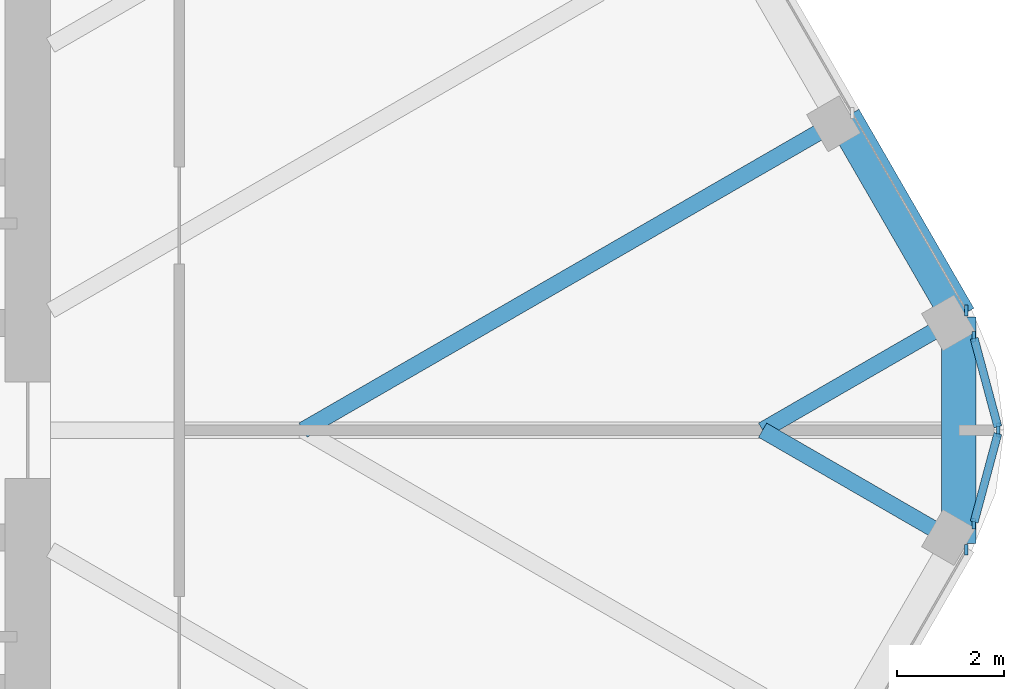
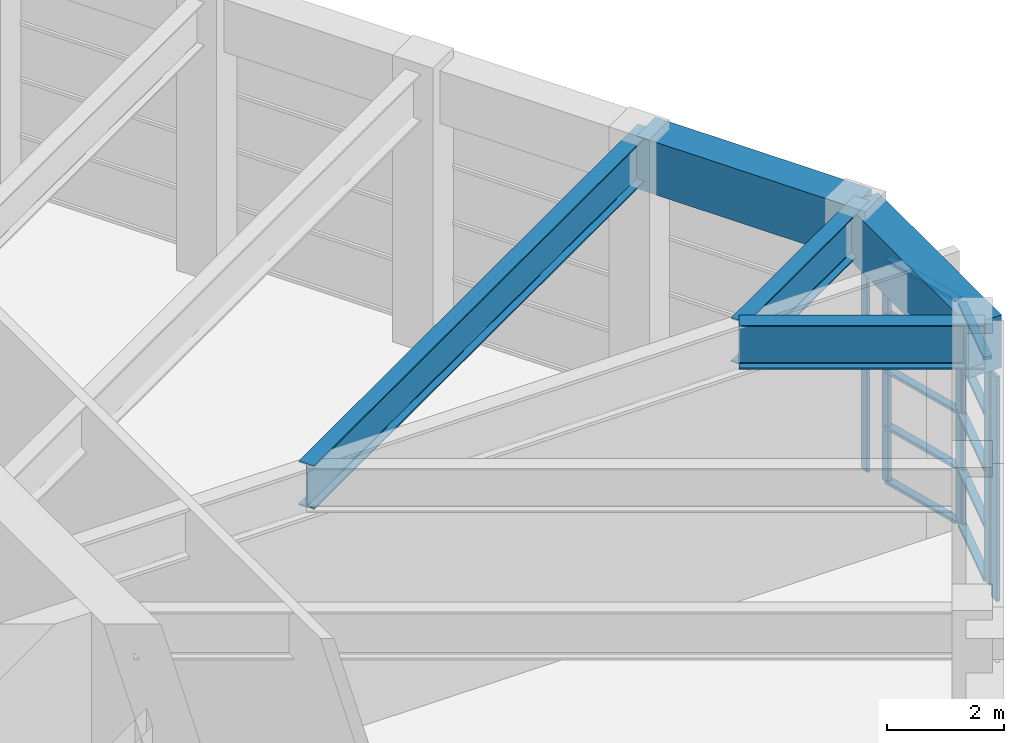
# One storey, part 6 of 16: 16 members, 5 beams, 4 elements without a shape of their own.
"""IFC4 building model written with IfcOpenShell, lengths in metres."""

from ifc_helpers import new_model, si_unit, direction, frame, origin, origin_2d, place, context, subcontext, project, spatial, rectangle, i_section, extrude, material, material_profile, profile_set, type_object, element, aggregate, save


model = new_model("IFC4")

# Units and contexts
model_context = context("Model", 3, precision=1e-05, world=origin(), true_north=direction((0.0, 1.0)))
body_context = subcontext(model_context, "Body", "Model", "MODEL_VIEW")
ifc_project = project(units=[si_unit("LENGTHUNIT", "METRE"), si_unit("AREAUNIT", "SQUARE_METRE"), si_unit("VOLUMEUNIT", "CUBIC_METRE"), si_unit("PLANEANGLEUNIT", "RADIAN"), si_unit("MASSUNIT", "GRAM", prefix="KILO")], contexts=[model_context])

# Site, building, storey
site_placement = place(None, origin())
site = spatial("IfcSite", under=ifc_project, at=site_placement, CompositionType="ELEMENT")
building_placement = place(site_placement, origin())
building = spatial("IfcBuilding", under=site, at=building_placement, Name="Tarfa Lantern Tower", CompositionType="ELEMENT")
storey_placement = place(building_placement, frame((0.0, 0.0, 396.300048828125)))
storey = spatial("IfcBuildingStorey", under=building, at=storey_placement, Name="L90", CompositionType="ELEMENT", Elevation=396.300048828125)

# Curtain wall, members
ifc_material_1 = material(Name="Aluminium framed curtain wall", Category="aluminium")
curtain_wall_type = type_object("IfcCurtainWallType", Name="CW8 LANTERN GLAZING 4700", PredefinedType="USERDEFINED", material=ifc_material_1)
curtain_wall_1_placement = place(storey_placement, origin())
curtain_wall_1 = element("IfcCurtainWall", 1, at=curtain_wall_1_placement, inside=storey, type_object=curtain_wall_type, Name="CW8 SENE1 L90", ObjectType="CURTAIN WALL", PredefinedType="USERDEFINED")
ifc_material_2 = material(Name="Aluminium mullion", Category="aluminium")
ifc_material_profile_1 = material_profile(ifc_material_2, rectangle(XDim=0.06494140625, YDim=0.199951171875, at=origin_2d()), Name="AL MULLION 65x200")
ifc_profile_set_1 = profile_set([ifc_material_profile_1], Name="Aluminium mullion")
member_type_1 = type_object("IfcMemberType", Name="CWM1 MULLION 65x200", PredefinedType="MULLION", material=ifc_profile_set_1)
member_1_placement = place(storey_placement, frame((29.625244140625, -1.74267578125, 0.0), z_axis=(0.0, 0.0, 1.0), x_axis=(1.0, 0.0, 0.0)))
member_1 = element("IfcMember", 2, at=member_1_placement, type_object=member_type_1, Name="CW8 mullion 1", PredefinedType="MULLION", context=body_context, shape_type="SweptSolid", body=[
    extrude(rectangle(XDim=0.06494140625, YDim=0.199951171875, at=origin_2d()), origin(), (0.0, 0.0, 1.0), 4.699951171875),
])
member_2_placement = place(storey_placement, frame((30.083740234375, -0.031494140625, 0.0), z_axis=(0.0, 0.0, 1.0), x_axis=(1.0, 0.0, 0.0)))
member_2 = element("IfcMember", 3, at=member_2_placement, type_object=member_type_1, Name="CW8 mullion 2", PredefinedType="MULLION", context=body_context, shape_type="SweptSolid", body=[
    extrude(rectangle(XDim=0.06494140625, YDim=0.199951171875, at=origin_2d()), origin(), (0.0, 0.0, 1.0), 4.699951171875),
])

curtain_wall_2_placement = place(storey_placement, origin())
curtain_wall_2 = element("IfcCurtainWall", 4, at=curtain_wall_2_placement, inside=storey, type_object=curtain_wall_type, Name="CW8 SENE2 L90", ObjectType="CURTAIN WALL", PredefinedType="USERDEFINED")
member_3_placement = place(storey_placement, frame((30.083740234375, 0.031494140625, 0.0), z_axis=(0.0, 0.0, 1.0), x_axis=(1.0, 0.0, 0.0)))
member_3 = element("IfcMember", 5, at=member_3_placement, type_object=member_type_1, Name="CW8 mullion 1", PredefinedType="MULLION", context=body_context, shape_type="SweptSolid", body=[
    extrude(rectangle(XDim=0.06494140625, YDim=0.199951171875, at=origin_2d()), origin(), (0.0, 0.0, 1.0), 4.699951171875),
])
member_4_placement = place(storey_placement, frame((29.625244140625, 1.74267578125, 0.0), z_axis=(0.0, 0.0, 1.0), x_axis=(1.0, 0.0, 0.0)))
member_4 = element("IfcMember", 6, at=member_4_placement, type_object=member_type_1, Name="CW8 mullion 2", PredefinedType="MULLION", context=body_context, shape_type="SweptSolid", body=[
    extrude(rectangle(XDim=0.06494140625, YDim=0.199951171875, at=origin_2d()), origin(), (0.0, 0.0, 1.0), 4.699951171875),
])

# Curtain wall, member
curtain_wall_3_placement = place(storey_placement, origin())
curtain_wall_3 = element("IfcCurtainWall", 7, at=curtain_wall_3_placement, inside=storey, type_object=curtain_wall_type, Name="CW8 NE L90", ObjectType="CURTAIN WALL", PredefinedType="USERDEFINED")
member_5_placement = place(storey_placement, frame((29.486328125, 2.22802734375, 0.0), z_axis=(0.0, 0.0, 1.0), x_axis=(1.0, 0.0, 0.0)))
member_5 = element("IfcMember", 8, at=member_5_placement, type_object=member_type_1, Name="CW8 mullion 1", PredefinedType="MULLION", context=body_context, shape_type="SweptSolid", body=[
    extrude(rectangle(XDim=0.06494140625, YDim=0.199951171875, at=origin_2d()), origin(), (0.0, 0.0, 1.0), 4.699951171875),
])
aggregate(curtain_wall_3, [member_5])

curtain_wall_4_placement = place(storey_placement, origin())
curtain_wall_4 = element("IfcCurtainWall", 9, at=curtain_wall_4_placement, inside=storey, type_object=curtain_wall_type, Name="CW8 SE L90", ObjectType="CURTAIN WALL", PredefinedType="USERDEFINED")
member_6_placement = place(storey_placement, frame((29.486328125, -2.22802734375, 0.0), z_axis=(0.0, 0.0, 1.0), x_axis=(1.0, 0.0, 0.0)))
member_6 = element("IfcMember", 10, at=member_6_placement, type_object=member_type_1, Name="CW8 mullion 7", PredefinedType="MULLION", context=body_context, shape_type="SweptSolid", body=[
    extrude(rectangle(XDim=0.06494140625, YDim=0.199951171875, at=origin_2d()), origin(), (0.0, 0.0, 1.0), 4.699951171875),
])
aggregate(curtain_wall_4, [member_6])

# Member
ifc_material_3 = material(Name="Aluminium transom", Category="aluminium")
ifc_material_profile_2 = material_profile(ifc_material_3, rectangle(XDim=0.14990234375, YDim=0.06494140625, at=origin_2d()), Name="AL TRANSOM 150x65")
ifc_profile_set_2 = profile_set([ifc_material_profile_2], Name="Aluminium transom")
member_type_2 = type_object("IfcMemberType", Name="CWT1 TRANSOM 150x65", PredefinedType="USERDEFINED", material=ifc_profile_set_2)
member_7_placement = place(storey_placement, frame((29.633544921875, -1.71142578125, 0.032470703125), z_axis=(0.258757534625, 0.965942305873, 0.0), x_axis=(-0.965942305873, 0.258757534625, 0.0)))
member_7 = element("IfcMember", 11, at=member_7_placement, type_object=member_type_2, Name="CW8 transom 1.1", ObjectType="TRANSOM", PredefinedType="USERDEFINED", context=body_context, shape_type="SweptSolid", body=[
    extrude(rectangle(XDim=0.14990234375, YDim=0.06494140625, at=origin_2d()), origin(), (0.0, 0.0, 1.0), 1.706787109375),
])

member_8_placement = place(storey_placement, frame((29.633544921875, -1.71142578125, 1.175048828125), z_axis=(0.258757534625, 0.965942305873, 0.0), x_axis=(-0.965942305873, 0.258757534625, 0.0)))
member_8 = element("IfcMember", 12, at=member_8_placement, type_object=member_type_2, Name="CW8 transom 1.2", ObjectType="TRANSOM", PredefinedType="USERDEFINED", context=body_context, shape_type="SweptSolid", body=[
    extrude(rectangle(XDim=0.14990234375, YDim=0.06494140625, at=origin_2d()), origin(), (0.0, 0.0, 1.0), 1.706787109375),
])

member_9_placement = place(storey_placement, frame((29.633544921875, -1.71142578125, 2.349853515625), z_axis=(0.258757534625, 0.965942305873, 0.0), x_axis=(-0.965942305873, 0.258757534625, 0.0)))
member_9 = element("IfcMember", 13, at=member_9_placement, type_object=member_type_2, Name="CW8 transom 1.3", ObjectType="TRANSOM", PredefinedType="USERDEFINED", context=body_context, shape_type="SweptSolid", body=[
    extrude(rectangle(XDim=0.14990234375, YDim=0.06494140625, at=origin_2d()), origin(), (0.0, 0.0, 1.0), 1.706787109375),
])

member_10_placement = place(storey_placement, frame((29.633544921875, -1.71142578125, 3.52490234375), z_axis=(0.258757534625, 0.965942305873, 0.0), x_axis=(-0.965942305873, 0.258757534625, 0.0)))
member_10 = element("IfcMember", 14, at=member_10_placement, type_object=member_type_2, Name="CW8 transom 1.4", ObjectType="TRANSOM", PredefinedType="USERDEFINED", context=body_context, shape_type="SweptSolid", body=[
    extrude(rectangle(XDim=0.14990234375, YDim=0.06494140625, at=origin_2d()), origin(), (0.0, 0.0, 1.0), 1.706787109375),
])

member_11_placement = place(storey_placement, frame((29.633544921875, -1.71142578125, 4.66748046875), z_axis=(0.258757534625, 0.965942305873, 0.0), x_axis=(-0.965942305873, 0.258757534625, 0.0)))
member_11 = element("IfcMember", 15, at=member_11_placement, type_object=member_type_2, Name="CW8 transom 1.5", ObjectType="TRANSOM", PredefinedType="USERDEFINED", context=body_context, shape_type="SweptSolid", body=[
    extrude(rectangle(XDim=0.14990234375, YDim=0.06494140625, at=origin_2d()), origin(), (0.0, 0.0, 1.0), 1.706787109375),
])

aggregate(curtain_wall_1, [member_1, member_2, member_7, member_8, member_9, member_10, member_11])

member_12_placement = place(storey_placement, frame((30.0751953125, 0.062744140625, 0.032470703125), z_axis=(-0.258757534625, 0.965942305873, 0.0), x_axis=(-0.965942305873, -0.258757534625, 0.0)))
member_12 = element("IfcMember", 16, at=member_12_placement, type_object=member_type_2, Name="CW8 transom 1.1", ObjectType="TRANSOM", PredefinedType="USERDEFINED", context=body_context, shape_type="SweptSolid", body=[
    extrude(rectangle(XDim=0.14990234375, YDim=0.06494140625, at=origin_2d()), origin(), (0.0, 0.0, 1.0), 1.706787109375),
])

member_13_placement = place(storey_placement, frame((30.0751953125, 0.062744140625, 1.175048828125), z_axis=(-0.258757534625, 0.965942305873, 0.0), x_axis=(-0.965942305873, -0.258757534625, 0.0)))
member_13 = element("IfcMember", 17, at=member_13_placement, type_object=member_type_2, Name="CW8 transom 1.2", ObjectType="TRANSOM", PredefinedType="USERDEFINED", context=body_context, shape_type="SweptSolid", body=[
    extrude(rectangle(XDim=0.14990234375, YDim=0.06494140625, at=origin_2d()), origin(), (0.0, 0.0, 1.0), 1.706787109375),
])

member_14_placement = place(storey_placement, frame((30.0751953125, 0.062744140625, 2.349853515625), z_axis=(-0.258757534625, 0.965942305873, 0.0), x_axis=(-0.965942305873, -0.258757534625, 0.0)))
member_14 = element("IfcMember", 18, at=member_14_placement, type_object=member_type_2, Name="CW8 transom 1.3", ObjectType="TRANSOM", PredefinedType="USERDEFINED", context=body_context, shape_type="SweptSolid", body=[
    extrude(rectangle(XDim=0.14990234375, YDim=0.06494140625, at=origin_2d()), origin(), (0.0, 0.0, 1.0), 1.706787109375),
])

member_15_placement = place(storey_placement, frame((30.0751953125, 0.062744140625, 3.52490234375), z_axis=(-0.258757534625, 0.965942305873, 0.0), x_axis=(-0.965942305873, -0.258757534625, 0.0)))
member_15 = element("IfcMember", 19, at=member_15_placement, type_object=member_type_2, Name="CW8 transom 1.4", ObjectType="TRANSOM", PredefinedType="USERDEFINED", context=body_context, shape_type="SweptSolid", body=[
    extrude(rectangle(XDim=0.14990234375, YDim=0.06494140625, at=origin_2d()), origin(), (0.0, 0.0, 1.0), 1.706787109375),
])

member_16_placement = place(storey_placement, frame((30.0751953125, 0.062744140625, 4.66748046875), z_axis=(-0.258757534625, 0.965942305873, 0.0), x_axis=(-0.965942305873, -0.258757534625, 0.0)))
member_16 = element("IfcMember", 20, at=member_16_placement, type_object=member_type_2, Name="CW8 transom 1.5", ObjectType="TRANSOM", PredefinedType="USERDEFINED", context=body_context, shape_type="SweptSolid", body=[
    extrude(rectangle(XDim=0.14990234375, YDim=0.06494140625, at=origin_2d()), origin(), (0.0, 0.0, 1.0), 1.706787109375),
])

aggregate(curtain_wall_2, [member_3, member_4, member_12, member_13, member_14, member_15, member_16])

# Beams
ifc_material_4 = material(Name="Concrete C80/95", Category="concrete")
ifc_material_profile_3 = material_profile(ifc_material_4, rectangle(XDim=0.64990234375, YDim=1.10009765625, at=origin_2d()), Name="RC 650x1100")
ifc_profile_set_3 = profile_set([ifc_material_profile_3], Name="Concrete C80/95")
beam_type_1 = type_object("IfcBeamType", Name="EB4 RC 650x1100", PredefinedType="SPANDREL", material=ifc_profile_set_3)
beam_1_placement = place(storey_placement, frame((29.3466796875, 2.110107421875, 5.25), z_axis=(-0.499984039138, 0.866034618596, 0.0), x_axis=(-0.866034618596, -0.499984039138, 0.0)))
element("IfcBeam", 21, at=beam_1_placement, inside=storey, type_object=beam_type_1, Name="Edge beam NE0", PredefinedType="SPANDREL", context=body_context, shape_type="SweptSolid", body=[
    extrude(rectangle(XDim=0.64990234375, YDim=1.10009765625, at=origin_2d()), origin(), (0.0, 0.0, 1.0), 4.281982421875),
])
beam_2_placement = place(storey_placement, frame((29.3466796875, -2.110107421875, 5.25), z_axis=(0.0, 1.0, 0.0), x_axis=(-1.0, 0.0, 0.0)))
element("IfcBeam", 22, at=beam_2_placement, inside=storey, type_object=beam_type_1, Name="Edge beam SE6", PredefinedType="SPANDREL", context=body_context, shape_type="SweptSolid", body=[
    extrude(rectangle(XDim=0.64990234375, YDim=1.10009765625, at=origin_2d()), origin(), (0.0, 0.0, 1.0), 4.22021484375),
])
ifc_material_5 = material(Name="Steel S460M", Category="steel")
ifc_material_profile_4 = material_profile(ifc_material_5, i_section(OverallWidth=0.305419921875, OverallDepth=0.91845703125, WebThickness=0.017333984375, FlangeThickness=0.02783203125, FilletRadius=0.01904296875, at=origin_2d()), Name="UB914x305x253")
ifc_profile_set_4 = profile_set([ifc_material_profile_4], Name="Steel S460M")
beam_type_2 = type_object("IfcBeamType", Name="UB914x305x253", PredefinedType="BEAM", material=ifc_profile_set_4)
beam_3_placement = place(storey_placement, frame((29.3466796875, 2.110107421875, 5.3408203125), z_axis=(-0.866009274789, -0.500027935199, 0.0), x_axis=(0.500027935199, -0.866009274789, 0.0)))
element("IfcBeam", 23, at=beam_3_placement, inside=storey, type_object=beam_type_2, Name="Floor beam NE0", PredefinedType="BEAM", context=body_context, shape_type="SweptSolid", body=[
    extrude(i_section(OverallWidth=0.305419921875, OverallDepth=0.91845703125, WebThickness=0.017333984375, FlangeThickness=0.02783203125, FilletRadius=0.01904296875, at=origin_2d()), origin(), (0.0, 0.0, 1.0), 4.219970703125),
])
beam_4_placement = place(storey_placement, frame((27.205810546875, 5.818359375, 5.3408203125), z_axis=(-0.866024171998, -0.500002133511, 0.0), x_axis=(0.500002133511, -0.866024171998, 0.0)))
element("IfcBeam", 24, at=beam_4_placement, inside=storey, type_object=beam_type_2, Name="Floor beam NE1", PredefinedType="BEAM", context=body_context, shape_type="SweptSolid", body=[
    extrude(i_section(OverallWidth=0.305419921875, OverallDepth=0.91845703125, WebThickness=0.017333984375, FlangeThickness=0.02783203125, FilletRadius=0.01904296875, at=origin_2d()), origin(), (0.0, 0.0, 1.0), 11.63671875),
])
beam_5_placement = place(storey_placement, frame((29.3466796875, -2.110107421875, 5.3408203125), z_axis=(-0.866009274789, 0.500027935199, 0.0), x_axis=(-0.500027935199, -0.866009274789, 0.0)))
element("IfcBeam", 25, at=beam_5_placement, inside=storey, type_object=beam_type_2, Name="Floor beam SE6", PredefinedType="BEAM", context=body_context, shape_type="SweptSolid", body=[
    extrude(i_section(OverallWidth=0.305419921875, OverallDepth=0.91845703125, WebThickness=0.017333984375, FlangeThickness=0.02783203125, FilletRadius=0.01904296875, at=origin_2d()), origin(), (0.0, 0.0, 1.0), 4.219970703125),
])

save(model, "model.ifc")
